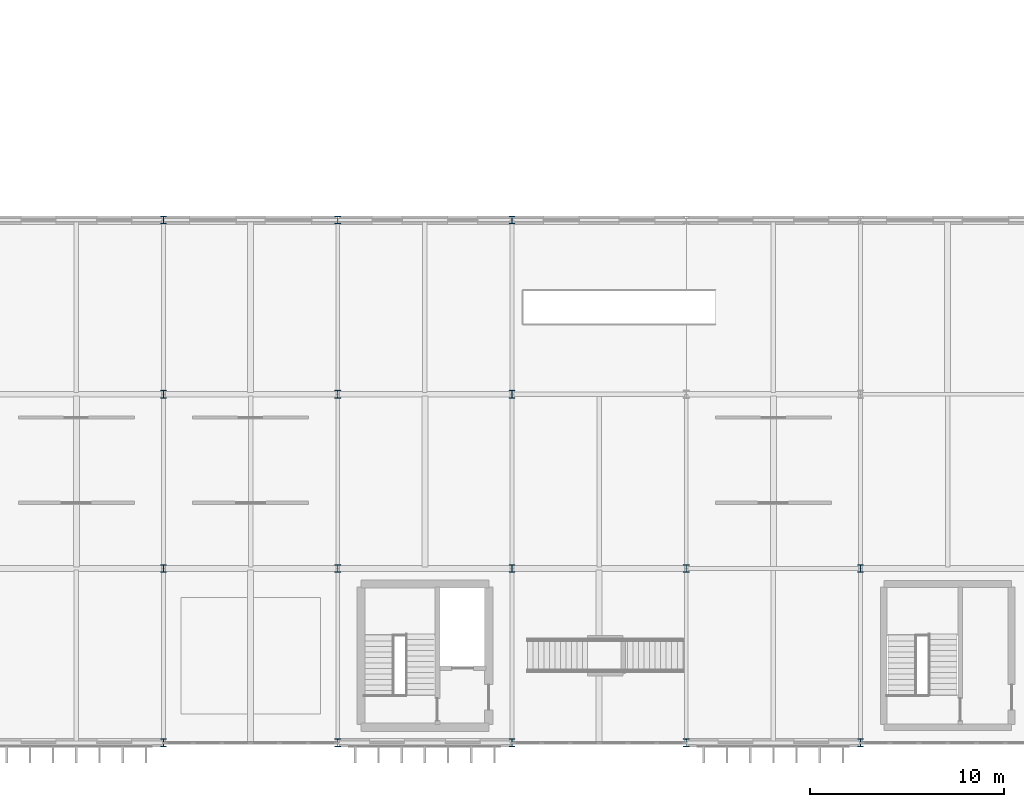
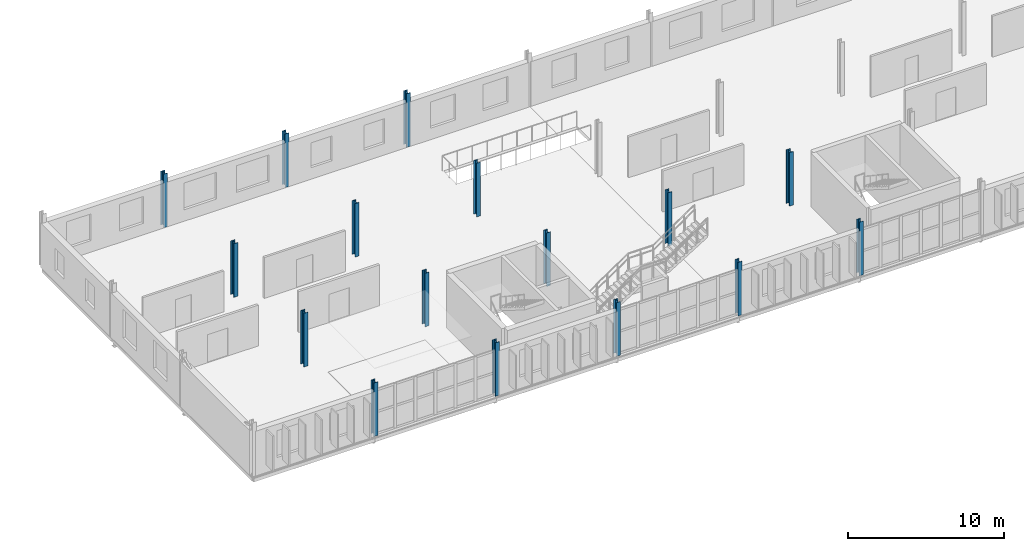
# One storey, part 17 of 161: 16 columns.
"""IFC4 building model written with IfcOpenShell, lengths in metres."""

from ifc_helpers import new_model, si_unit, direction, frame, origin, origin_2d, place, context, subcontext, project, spatial, i_section, extrude, material, material_profile, profile_set, type_object, element, save


model = new_model("IFC4")

# Units and contexts
model_context = context("Model", 3, precision=1e-05, world=origin(), true_north=direction((0.0, 1.0)))
body_context = subcontext(model_context, "Body", "Model", "MODEL_VIEW")
ifc_project = project(units=[si_unit("LENGTHUNIT", "METRE"), si_unit("AREAUNIT", "SQUARE_METRE"), si_unit("VOLUMEUNIT", "CUBIC_METRE"), si_unit("PLANEANGLEUNIT", "RADIAN"), si_unit("MASSUNIT", "GRAM", prefix="KILO")], contexts=[model_context])

# Site, building, storey
site_placement = place(None, origin())
site = spatial("IfcSite", under=ifc_project, at=site_placement, CompositionType="ELEMENT")
building_placement = place(site_placement, origin())
building = spatial("IfcBuilding", under=site, at=building_placement, Name="Kildeholm Park Wholesale Market", CompositionType="ELEMENT")
storey_placement = place(building_placement, frame((0.0, 0.0, 5.39990234375)))
storey = spatial("IfcBuildingStorey", under=building, at=storey_placement, Name="L01", CompositionType="ELEMENT", Elevation=5.39990234375)

# Columns
ifc_material = material(Name="Steel S355", Category="steel")
ifc_material_profile = material_profile(ifc_material, i_section(OverallWidth=0.300048828125, OverallDepth=0.39990234375, WebThickness=0.013427734375, FlangeThickness=0.02392578125, FilletRadius=0.027099609375, at=origin_2d()), Name="HEB 400")
ifc_profile_set = profile_set([ifc_material_profile], Name="Steel S355")
column_type = type_object("IfcColumnType", Name="Column C-S05 HEB 400", PredefinedType="COLUMN", material=ifc_profile_set)
for number, where, z_axis, x_axis, name in (
    (1, (135.0, 0.0, 0.0), (0.0, 0.0, 1.0), (1.0, 0.0, 0.0), "Column V5E-135-000 L01 COL-0772"),
    (2, (135.0, 9.0, 0.0), (0.0, 0.0, 1.0), (1.0, 0.0, 0.0), "Column V5E-135-009 L01 COL-0776"),
    (3, (135.0, 18.0, 0.0), (0.0, 0.0, 1.0), (1.0, 0.0, 0.0), "Column V5E-135-018 L01 COL-0780"),
    (4, (135.0, 27.0, 0.0), (0.0, 0.0, 1.0), (1.0, 0.0, 0.0), "Column V5E-135-027 L01 COL-0784"),
    (5, (144.0, 0.0, 0.0), (0.0, 0.0, 1.0), (1.0, 0.0, 0.0), "Column V5E-144-000 L01 COL-0786"),
    (6, (144.0, 9.0, 0.0), (0.0, 0.0, 1.0), (1.0, 0.0, 0.0), "Column V5E-144-009 L01 COL-0790"),
    (7, (144.0, 18.0, 0.0), (0.0, 0.0, 1.0), (1.0, 0.0, 0.0), "Column V5E-144-018 L01 COL-0794"),
    (8, (144.0, 27.0, 0.0), (0.0, 0.0, 1.0), (1.0, 0.0, 0.0), "Column V5E-144-027 L01 COL-0798"),
    (9, (153.0, 0.0, 0.0), (0.0, 0.0, 1.0), (1.0, 0.0, 0.0), "Column V5E-153-000 L01 COL-0800"),
    (10, (153.0, 9.0, 0.0), (0.0, 0.0, 1.0), (1.0, 0.0, 0.0), "Column V5E-153-009 L01 COL-0804"),
    (11, (153.0, 18.0, 0.0), (0.0, 0.0, 1.0), (1.0, 0.0, 0.0), "Column V5E-153-018 L01 COL-0808"),
    (12, (153.0, 27.0, 0.0), (0.0, 0.0, 1.0), (1.0, 0.0, 0.0), "Column V5E-153-027 L01 COL-0812"),
    (13, (162.0, 0.0, 0.0), (0.0, 0.0, 1.0), (1.0, 0.0, 0.0), "Column V5E-162-000 L01 COL-0814"),
    (14, (162.0, 9.0, 0.0), (0.0, 0.0, 1.0), (1.0, 0.0, 0.0), "Column V5E-162-009 L01 COL-0818"),
    (15, (171.0, 0.0, 0.0), (0.0, 0.0, 1.0), (1.0, 0.0, 0.0), "Column V5E-171-000 L01 COL-0828"),
    (16, (171.0, 9.0, 0.0), (0.0, 0.0, 1.0), (1.0, 0.0, 0.0), "Column V5E-171-009 L01 COL-0832"),
):
    element("IfcColumn", number, at=place(storey_placement, frame(where, z_axis=z_axis, x_axis=x_axis)), inside=storey, type_object=column_type, Name=name, PredefinedType="COLUMN", context=body_context, shape_type="SweptSolid", body=[
        extrude(i_section(OverallWidth=0.300048828125, OverallDepth=0.39990234375, WebThickness=0.013427734375, FlangeThickness=0.02392578125, FilletRadius=0.027099609375, at=origin_2d()), origin(), (0.0, 0.0, 1.0), 4.2001953125),
    ])

save(model, "model.ifc")
